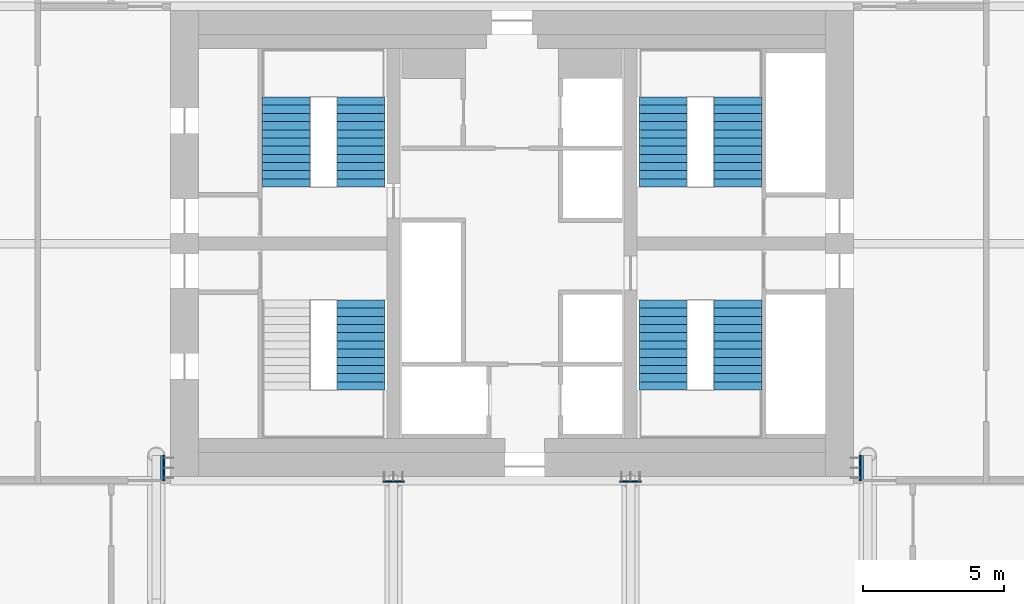
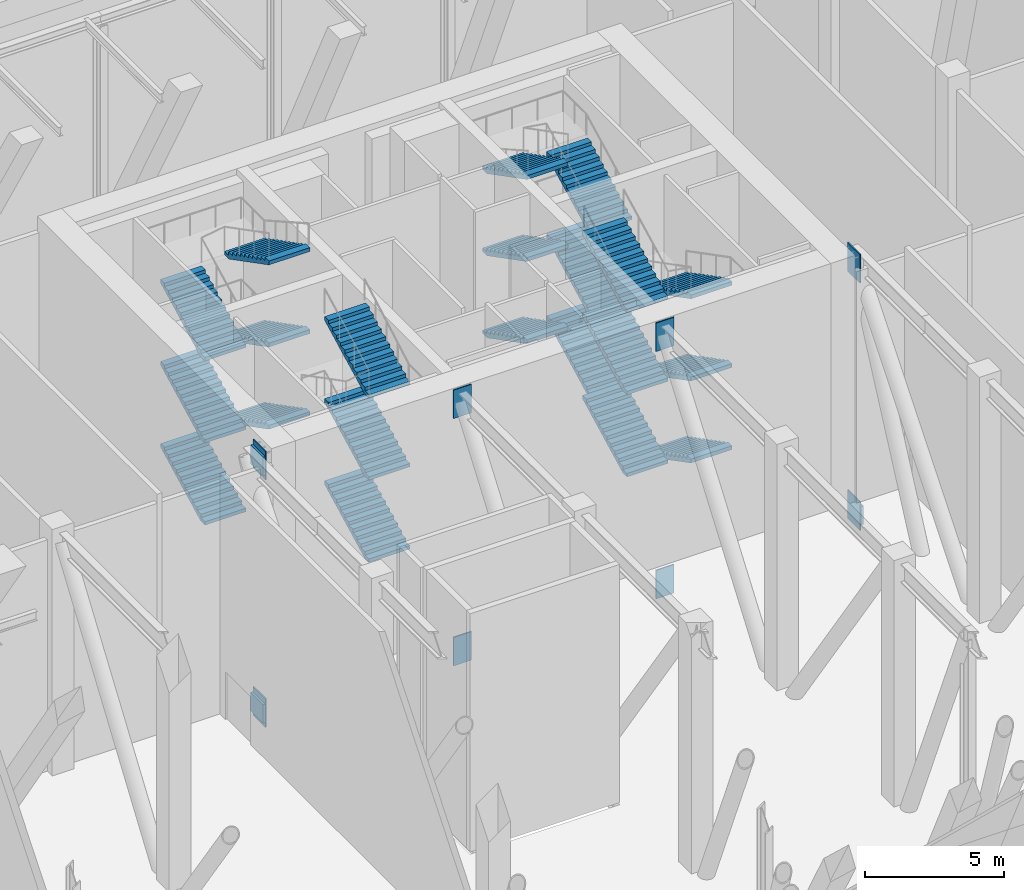
# One storey, part 13 of 20: 21 stair flights, 11 discrete accessories, 4 elements without a shape of their own.
"""IFC4 building model written with IfcOpenShell, lengths in metres."""

from ifc_helpers import new_model, si_unit, direction, frame, origin, origin_2d, place, context, subcontext, project, spatial, polyline, rectangle, outline, extrude, material, layer, layer_set, type_object, element, aggregate, save


model = new_model("IFC4")

# Units and contexts
model_context = context("Model", 3, precision=1e-05, world=origin(), true_north=direction((0.0, 1.0)))
body_context = subcontext(model_context, "Body", "Model", "MODEL_VIEW")
ifc_project = project(units=[si_unit("LENGTHUNIT", "METRE"), si_unit("AREAUNIT", "SQUARE_METRE"), si_unit("VOLUMEUNIT", "CUBIC_METRE"), si_unit("PLANEANGLEUNIT", "RADIAN"), si_unit("MASSUNIT", "GRAM", prefix="KILO")], contexts=[model_context])

# Site, building, storey
site_placement = place(None, origin())
site = spatial("IfcSite", under=ifc_project, at=site_placement, CompositionType="ELEMENT")
building_placement = place(site_placement, origin())
building = spatial("IfcBuilding", under=site, at=building_placement, Name="Marenta Gate Hotel Tower", CompositionType="ELEMENT")
storey_placement = place(building_placement, frame((0.0, 0.0, 169.699951171875)))
storey = spatial("IfcBuildingStorey", under=building, at=storey_placement, Name="L40", CompositionType="ELEMENT", Elevation=169.699951171875)

# Stair, stair flights
ifc_material_1 = material(Name="Concrete C40", Category="concrete")
stair_type = type_object("IfcStairType", Name="Core exit stair 1700 wide", PredefinedType="HALF_TURN_STAIR", material=ifc_material_1)
stair_1_placement = place(storey_placement, origin())
stair_1 = element("IfcStair", 1, at=stair_1_placement, inside=storey, type_object=stair_type, Name="Exit stair 1", PredefinedType="HALF_TURN_STAIR")
ifc_material_2 = material(Name="Concrete C40", Category="concrete")
stair_flight_type = type_object("IfcStairFlightType", Name="Core stair flight 1700 riser 150.0 going 290", PredefinedType="STRAIGHT", material=ifc_material_2)
stair_flight_1_placement = place(storey_placement, frame((-5.35009765625, 3.2099609375, 1.800048828125), z_axis=(0.0, 0.0, 1.0), x_axis=(0.0, 1.0, 0.0)))
stair_flight_1 = element("IfcStairFlight", 2, at=stair_flight_1_placement, type_object=stair_flight_type, Name="ST1 flight 2", NumberOfRisers=12, NumberOfTreads=11, PredefinedType="STRAIGHT", RiserHeight=0.15, TreadLength=0.29, context=body_context, shape_type="SweptSolid", body=[
    extrude(outline(polyline([(0.0, 0.0), (0.0, 0.14990234375), (0.2900390625, 0.14990234375), (0.2900390625, 0.300048828125), (0.580078125, 0.300048828125), (0.580078125, 0.449951171875), (0.8701171875, 0.449951171875), (0.8701171875, 0.60009765625), (1.159912109375, 0.60009765625), (1.159912109375, 0.75), (1.449951171875, 0.75), (1.449951171875, 0.89990234375), (1.739990234375, 0.89990234375), (1.739990234375, 1.050048828125), (2.030029296875, 1.050048828125), (2.030029296875, 1.199951171875), (2.320068359375, 1.199951171875), (2.320068359375, 1.35009765625), (2.610107421875, 1.35009765625), (2.610107421875, 1.5), (2.89990234375, 1.5), (2.89990234375, 1.64990234375), (3.18994140625, 1.64990234375), (3.18994140625, 1.800048828125), (3.18994140625, 1.481201171875), (0.326171875, 0.0), (0.0, 0.0)])), frame((0.0, 0.85009765625, 0.0), z_axis=(0.0, -1.0, 0.0), x_axis=(1.0, 0.0, 0.0)), (0.0, 0.0, 1.0), 1.699951171875),
])
stair_flight_2_placement = place(storey_placement, frame((-5.35009765625, 3.2099609375, 5.400146484375), z_axis=(0.0, 0.0, 1.0), x_axis=(0.0, 1.0, 0.0)))
stair_flight_2 = element("IfcStairFlight", 3, at=stair_flight_2_placement, type_object=stair_flight_type, Name="ST1 flight 4", NumberOfRisers=12, NumberOfTreads=11, PredefinedType="STRAIGHT", RiserHeight=0.15, TreadLength=0.29, context=body_context, shape_type="SweptSolid", body=[
    extrude(outline(polyline([(0.0, 0.0), (0.0, 0.14990234375), (0.2900390625, 0.14990234375), (0.2900390625, 0.300048828125), (0.580078125, 0.300048828125), (0.580078125, 0.449951171875), (0.8701171875, 0.449951171875), (0.8701171875, 0.60009765625), (1.159912109375, 0.60009765625), (1.159912109375, 0.75), (1.449951171875, 0.75), (1.449951171875, 0.89990234375), (1.739990234375, 0.89990234375), (1.739990234375, 1.050048828125), (2.030029296875, 1.050048828125), (2.030029296875, 1.199951171875), (2.320068359375, 1.199951171875), (2.320068359375, 1.35009765625), (2.610107421875, 1.35009765625), (2.610107421875, 1.5), (2.89990234375, 1.5), (2.89990234375, 1.64990234375), (3.18994140625, 1.64990234375), (3.18994140625, 1.800048828125), (3.18994140625, 1.481201171875), (0.326171875, 0.0), (0.0, 0.0)])), frame((0.0, 0.85009765625, 0.0), z_axis=(0.0, -1.0, 0.0), x_axis=(1.0, 0.0, 0.0)), (0.0, 0.0, 1.0), 1.699951171875),
])
stair_flight_3_placement = place(storey_placement, frame((-5.35009765625, 3.2099609375, 9.0), z_axis=(0.0, 0.0, 1.0), x_axis=(0.0, 1.0, 0.0)))
stair_flight_3 = element("IfcStairFlight", 4, at=stair_flight_3_placement, type_object=stair_flight_type, Name="ST1 flight 6", NumberOfRisers=12, NumberOfTreads=11, PredefinedType="STRAIGHT", RiserHeight=0.15, TreadLength=0.29, context=body_context, shape_type="SweptSolid", body=[
    extrude(outline(polyline([(0.0, 0.0), (0.0, 0.14990234375), (0.2900390625, 0.14990234375), (0.2900390625, 0.300048828125), (0.580078125, 0.300048828125), (0.580078125, 0.449951171875), (0.8701171875, 0.449951171875), (0.8701171875, 0.60009765625), (1.159912109375, 0.60009765625), (1.159912109375, 0.75), (1.449951171875, 0.75), (1.449951171875, 0.89990234375), (1.739990234375, 0.89990234375), (1.739990234375, 1.050048828125), (2.030029296875, 1.050048828125), (2.030029296875, 1.199951171875), (2.320068359375, 1.199951171875), (2.320068359375, 1.35009765625), (2.610107421875, 1.35009765625), (2.610107421875, 1.5), (2.89990234375, 1.5), (2.89990234375, 1.64990234375), (3.18994140625, 1.64990234375), (3.18994140625, 1.800048828125), (3.18994140625, 1.481201171875), (0.326171875, 0.0), (0.0, 0.0)])), frame((0.0, 0.85009765625, 0.0), z_axis=(0.0, -1.0, 0.0), x_axis=(1.0, 0.0, 0.0)), (0.0, 0.0, 1.0), 1.699951171875),
])
aggregate(stair_1, [stair_flight_1, stair_flight_2, stair_flight_3])

stair_2_placement = place(storey_placement, origin())
stair_2 = element("IfcStair", 5, at=stair_2_placement, inside=storey, type_object=stair_type, Name="Exit stair 2", PredefinedType="HALF_TURN_STAIR")
stair_flight_4_placement = place(storey_placement, frame((-8.0, 10.39990234375, 0.0), z_axis=(0.0, 0.0, 1.0), x_axis=(0.0, 1.0, 0.0)))
stair_flight_4 = element("IfcStairFlight", 6, at=stair_flight_4_placement, type_object=stair_flight_type, Name="ST2 flight 1", NumberOfRisers=12, NumberOfTreads=11, PredefinedType="STRAIGHT", RiserHeight=0.15, TreadLength=0.29, context=body_context, shape_type="SweptSolid", body=[
    extrude(outline(polyline([(0.0, 0.0), (0.0, 0.14990234375), (0.2900390625, 0.14990234375), (0.2900390625, 0.300048828125), (0.580078125, 0.300048828125), (0.580078125, 0.449951171875), (0.8701171875, 0.449951171875), (0.8701171875, 0.60009765625), (1.159912109375, 0.60009765625), (1.159912109375, 0.75), (1.449951171875, 0.75), (1.449951171875, 0.89990234375), (1.739990234375, 0.89990234375), (1.739990234375, 1.050048828125), (2.030029296875, 1.050048828125), (2.030029296875, 1.199951171875), (2.320068359375, 1.199951171875), (2.320068359375, 1.35009765625), (2.610107421875, 1.35009765625), (2.610107421875, 1.5), (2.89990234375, 1.5), (2.89990234375, 1.64990234375), (3.18994140625, 1.64990234375), (3.18994140625, 1.800048828125), (3.18994140625, 1.481201171875), (0.326171875, 0.0), (0.0, 0.0)])), frame((0.0, 0.85009765625, 0.0), z_axis=(0.0, -1.0, 0.0), x_axis=(1.0, 0.0, 0.0)), (0.0, 0.0, 1.0), 1.699951171875),
])
stair_flight_5_placement = place(storey_placement, frame((-5.35009765625, 13.590087890625, 1.800048828125), z_axis=(0.0, 0.0, 1.0), x_axis=(0.0, -1.0, 0.0)))
stair_flight_5 = element("IfcStairFlight", 7, at=stair_flight_5_placement, type_object=stair_flight_type, Name="ST2 flight 2", NumberOfRisers=12, NumberOfTreads=11, PredefinedType="STRAIGHT", RiserHeight=0.15, TreadLength=0.29, context=body_context, shape_type="SweptSolid", body=[
    extrude(outline(polyline([(0.0, 0.0), (0.0, 0.14990234375), (0.2900390625, 0.14990234375), (0.2900390625, 0.300048828125), (0.580078125, 0.300048828125), (0.580078125, 0.449951171875), (0.8701171875, 0.449951171875), (0.8701171875, 0.60009765625), (1.159912109375, 0.60009765625), (1.159912109375, 0.75), (1.449951171875, 0.75), (1.449951171875, 0.89990234375), (1.739990234375, 0.89990234375), (1.739990234375, 1.050048828125), (2.030029296875, 1.050048828125), (2.030029296875, 1.199951171875), (2.320068359375, 1.199951171875), (2.320068359375, 1.35009765625), (2.610107421875, 1.35009765625), (2.610107421875, 1.5), (2.89990234375, 1.5), (2.89990234375, 1.64990234375), (3.18994140625, 1.64990234375), (3.18994140625, 1.800048828125), (3.18994140625, 1.481201171875), (0.326171875, 0.0), (0.0, 0.0)])), frame((0.0, 0.85009765625, 0.0), z_axis=(0.0, -1.0, 0.0), x_axis=(1.0, 0.0, 0.0)), (0.0, 0.0, 1.0), 1.699951171875),
])
stair_flight_6_placement = place(storey_placement, frame((-8.0, 10.39990234375, 3.60009765625), z_axis=(0.0, 0.0, 1.0), x_axis=(0.0, 1.0, 0.0)))
stair_flight_6 = element("IfcStairFlight", 8, at=stair_flight_6_placement, type_object=stair_flight_type, Name="ST2 flight 3", NumberOfRisers=12, NumberOfTreads=11, PredefinedType="STRAIGHT", RiserHeight=0.15, TreadLength=0.29, context=body_context, shape_type="SweptSolid", body=[
    extrude(outline(polyline([(0.0, 0.0), (0.0, 0.14990234375), (0.2900390625, 0.14990234375), (0.2900390625, 0.300048828125), (0.580078125, 0.300048828125), (0.580078125, 0.449951171875), (0.8701171875, 0.449951171875), (0.8701171875, 0.60009765625), (1.159912109375, 0.60009765625), (1.159912109375, 0.75), (1.449951171875, 0.75), (1.449951171875, 0.89990234375), (1.739990234375, 0.89990234375), (1.739990234375, 1.050048828125), (2.030029296875, 1.050048828125), (2.030029296875, 1.199951171875), (2.320068359375, 1.199951171875), (2.320068359375, 1.35009765625), (2.610107421875, 1.35009765625), (2.610107421875, 1.5), (2.89990234375, 1.5), (2.89990234375, 1.64990234375), (3.18994140625, 1.64990234375), (3.18994140625, 1.800048828125), (3.18994140625, 1.481201171875), (0.326171875, 0.0), (0.0, 0.0)])), frame((0.0, 0.85009765625, 0.0), z_axis=(0.0, -1.0, 0.0), x_axis=(1.0, 0.0, 0.0)), (0.0, 0.0, 1.0), 1.699951171875),
])
stair_flight_7_placement = place(storey_placement, frame((-5.35009765625, 13.590087890625, 5.400146484375), z_axis=(0.0, 0.0, 1.0), x_axis=(0.0, -1.0, 0.0)))
stair_flight_7 = element("IfcStairFlight", 9, at=stair_flight_7_placement, type_object=stair_flight_type, Name="ST2 flight 4", NumberOfRisers=12, NumberOfTreads=11, PredefinedType="STRAIGHT", RiserHeight=0.15, TreadLength=0.29, context=body_context, shape_type="SweptSolid", body=[
    extrude(outline(polyline([(0.0, 0.0), (0.0, 0.14990234375), (0.2900390625, 0.14990234375), (0.2900390625, 0.300048828125), (0.580078125, 0.300048828125), (0.580078125, 0.449951171875), (0.8701171875, 0.449951171875), (0.8701171875, 0.60009765625), (1.159912109375, 0.60009765625), (1.159912109375, 0.75), (1.449951171875, 0.75), (1.449951171875, 0.89990234375), (1.739990234375, 0.89990234375), (1.739990234375, 1.050048828125), (2.030029296875, 1.050048828125), (2.030029296875, 1.199951171875), (2.320068359375, 1.199951171875), (2.320068359375, 1.35009765625), (2.610107421875, 1.35009765625), (2.610107421875, 1.5), (2.89990234375, 1.5), (2.89990234375, 1.64990234375), (3.18994140625, 1.64990234375), (3.18994140625, 1.800048828125), (3.18994140625, 1.481201171875), (0.326171875, 0.0), (0.0, 0.0)])), frame((0.0, 0.85009765625, 0.0), z_axis=(0.0, -1.0, 0.0), x_axis=(1.0, 0.0, 0.0)), (0.0, 0.0, 1.0), 1.699951171875),
])
stair_flight_8_placement = place(storey_placement, frame((-8.0, 10.39990234375, 7.199951171875), z_axis=(0.0, 0.0, 1.0), x_axis=(0.0, 1.0, 0.0)))
stair_flight_8 = element("IfcStairFlight", 10, at=stair_flight_8_placement, type_object=stair_flight_type, Name="ST2 flight 5", NumberOfRisers=12, NumberOfTreads=11, PredefinedType="STRAIGHT", RiserHeight=0.15, TreadLength=0.29, context=body_context, shape_type="SweptSolid", body=[
    extrude(outline(polyline([(0.0, 0.0), (0.0, 0.14990234375), (0.2900390625, 0.14990234375), (0.2900390625, 0.300048828125), (0.580078125, 0.300048828125), (0.580078125, 0.449951171875), (0.8701171875, 0.449951171875), (0.8701171875, 0.60009765625), (1.159912109375, 0.60009765625), (1.159912109375, 0.75), (1.449951171875, 0.75), (1.449951171875, 0.89990234375), (1.739990234375, 0.89990234375), (1.739990234375, 1.050048828125), (2.030029296875, 1.050048828125), (2.030029296875, 1.199951171875), (2.320068359375, 1.199951171875), (2.320068359375, 1.35009765625), (2.610107421875, 1.35009765625), (2.610107421875, 1.5), (2.89990234375, 1.5), (2.89990234375, 1.64990234375), (3.18994140625, 1.64990234375), (3.18994140625, 1.800048828125), (3.18994140625, 1.481201171875), (0.326171875, 0.0), (0.0, 0.0)])), frame((0.0, 0.85009765625, 0.0), z_axis=(0.0, -1.0, 0.0), x_axis=(1.0, 0.0, 0.0)), (0.0, 0.0, 1.0), 1.699951171875),
])
stair_flight_9_placement = place(storey_placement, frame((-5.35009765625, 13.590087890625, 9.0), z_axis=(0.0, 0.0, 1.0), x_axis=(0.0, -1.0, 0.0)))
stair_flight_9 = element("IfcStairFlight", 11, at=stair_flight_9_placement, type_object=stair_flight_type, Name="ST2 flight 6", NumberOfRisers=12, NumberOfTreads=11, PredefinedType="STRAIGHT", RiserHeight=0.15, TreadLength=0.29, context=body_context, shape_type="SweptSolid", body=[
    extrude(outline(polyline([(0.0, 0.0), (0.0, 0.14990234375), (0.2900390625, 0.14990234375), (0.2900390625, 0.300048828125), (0.580078125, 0.300048828125), (0.580078125, 0.449951171875), (0.8701171875, 0.449951171875), (0.8701171875, 0.60009765625), (1.159912109375, 0.60009765625), (1.159912109375, 0.75), (1.449951171875, 0.75), (1.449951171875, 0.89990234375), (1.739990234375, 0.89990234375), (1.739990234375, 1.050048828125), (2.030029296875, 1.050048828125), (2.030029296875, 1.199951171875), (2.320068359375, 1.199951171875), (2.320068359375, 1.35009765625), (2.610107421875, 1.35009765625), (2.610107421875, 1.5), (2.89990234375, 1.5), (2.89990234375, 1.64990234375), (3.18994140625, 1.64990234375), (3.18994140625, 1.800048828125), (3.18994140625, 1.481201171875), (0.326171875, 0.0), (0.0, 0.0)])), frame((0.0, 0.85009765625, 0.0), z_axis=(0.0, -1.0, 0.0), x_axis=(1.0, 0.0, 0.0)), (0.0, 0.0, 1.0), 1.699951171875),
])
aggregate(stair_2, [stair_flight_4, stair_flight_5, stair_flight_6, stair_flight_7, stair_flight_8, stair_flight_9])

stair_3_placement = place(storey_placement, origin())
stair_3 = element("IfcStair", 12, at=stair_3_placement, inside=storey, type_object=stair_type, Name="Exit stair 3", PredefinedType="HALF_TURN_STAIR")
stair_flight_10_placement = place(storey_placement, frame((8.0, 6.39990234375, 0.0), z_axis=(0.0, 0.0, 1.0), x_axis=(0.0, -1.0, 0.0)))
stair_flight_10 = element("IfcStairFlight", 13, at=stair_flight_10_placement, type_object=stair_flight_type, Name="ST3 flight 1", NumberOfRisers=12, NumberOfTreads=11, PredefinedType="STRAIGHT", RiserHeight=0.15, TreadLength=0.29, context=body_context, shape_type="SweptSolid", body=[
    extrude(outline(polyline([(0.0, 0.0), (0.0, 0.14990234375), (0.2900390625, 0.14990234375), (0.2900390625, 0.300048828125), (0.580078125, 0.300048828125), (0.580078125, 0.449951171875), (0.8701171875, 0.449951171875), (0.8701171875, 0.60009765625), (1.159912109375, 0.60009765625), (1.159912109375, 0.75), (1.449951171875, 0.75), (1.449951171875, 0.89990234375), (1.739990234375, 0.89990234375), (1.739990234375, 1.050048828125), (2.030029296875, 1.050048828125), (2.030029296875, 1.199951171875), (2.320068359375, 1.199951171875), (2.320068359375, 1.35009765625), (2.610107421875, 1.35009765625), (2.610107421875, 1.5), (2.89990234375, 1.5), (2.89990234375, 1.64990234375), (3.18994140625, 1.64990234375), (3.18994140625, 1.800048828125), (3.18994140625, 1.481201171875), (0.326171875, 0.0), (0.0, 0.0)])), frame((0.0, 0.85009765625, 0.0), z_axis=(0.0, -1.0, 0.0), x_axis=(1.0, 0.0, 0.0)), (0.0, 0.0, 1.0), 1.699951171875),
])
stair_flight_11_placement = place(storey_placement, frame((5.35009765625, 3.2099609375, 1.800048828125), z_axis=(0.0, 0.0, 1.0), x_axis=(0.0, 1.0, 0.0)))
stair_flight_11 = element("IfcStairFlight", 14, at=stair_flight_11_placement, type_object=stair_flight_type, Name="ST3 flight 2", NumberOfRisers=12, NumberOfTreads=11, PredefinedType="STRAIGHT", RiserHeight=0.15, TreadLength=0.29, context=body_context, shape_type="SweptSolid", body=[
    extrude(outline(polyline([(0.0, 0.0), (0.0, 0.14990234375), (0.2900390625, 0.14990234375), (0.2900390625, 0.300048828125), (0.580078125, 0.300048828125), (0.580078125, 0.449951171875), (0.8701171875, 0.449951171875), (0.8701171875, 0.60009765625), (1.159912109375, 0.60009765625), (1.159912109375, 0.75), (1.449951171875, 0.75), (1.449951171875, 0.89990234375), (1.739990234375, 0.89990234375), (1.739990234375, 1.050048828125), (2.030029296875, 1.050048828125), (2.030029296875, 1.199951171875), (2.320068359375, 1.199951171875), (2.320068359375, 1.35009765625), (2.610107421875, 1.35009765625), (2.610107421875, 1.5), (2.89990234375, 1.5), (2.89990234375, 1.64990234375), (3.18994140625, 1.64990234375), (3.18994140625, 1.800048828125), (3.18994140625, 1.481201171875), (0.326171875, 0.0), (0.0, 0.0)])), frame((0.0, 0.85009765625, 0.0), z_axis=(0.0, -1.0, 0.0), x_axis=(1.0, 0.0, 0.0)), (0.0, 0.0, 1.0), 1.699951171875),
])
stair_flight_12_placement = place(storey_placement, frame((8.0, 6.39990234375, 3.60009765625), z_axis=(0.0, 0.0, 1.0), x_axis=(0.0, -1.0, 0.0)))
stair_flight_12 = element("IfcStairFlight", 15, at=stair_flight_12_placement, type_object=stair_flight_type, Name="ST3 flight 3", NumberOfRisers=12, NumberOfTreads=11, PredefinedType="STRAIGHT", RiserHeight=0.15, TreadLength=0.29, context=body_context, shape_type="SweptSolid", body=[
    extrude(outline(polyline([(0.0, 0.0), (0.0, 0.14990234375), (0.2900390625, 0.14990234375), (0.2900390625, 0.300048828125), (0.580078125, 0.300048828125), (0.580078125, 0.449951171875), (0.8701171875, 0.449951171875), (0.8701171875, 0.60009765625), (1.159912109375, 0.60009765625), (1.159912109375, 0.75), (1.449951171875, 0.75), (1.449951171875, 0.89990234375), (1.739990234375, 0.89990234375), (1.739990234375, 1.050048828125), (2.030029296875, 1.050048828125), (2.030029296875, 1.199951171875), (2.320068359375, 1.199951171875), (2.320068359375, 1.35009765625), (2.610107421875, 1.35009765625), (2.610107421875, 1.5), (2.89990234375, 1.5), (2.89990234375, 1.64990234375), (3.18994140625, 1.64990234375), (3.18994140625, 1.800048828125), (3.18994140625, 1.481201171875), (0.326171875, 0.0), (0.0, 0.0)])), frame((0.0, 0.85009765625, 0.0), z_axis=(0.0, -1.0, 0.0), x_axis=(1.0, 0.0, 0.0)), (0.0, 0.0, 1.0), 1.699951171875),
])
stair_flight_13_placement = place(storey_placement, frame((5.35009765625, 3.2099609375, 5.400146484375), z_axis=(0.0, 0.0, 1.0), x_axis=(0.0, 1.0, 0.0)))
stair_flight_13 = element("IfcStairFlight", 16, at=stair_flight_13_placement, type_object=stair_flight_type, Name="ST3 flight 4", NumberOfRisers=12, NumberOfTreads=11, PredefinedType="STRAIGHT", RiserHeight=0.15, TreadLength=0.29, context=body_context, shape_type="SweptSolid", body=[
    extrude(outline(polyline([(0.0, 0.0), (0.0, 0.14990234375), (0.2900390625, 0.14990234375), (0.2900390625, 0.300048828125), (0.580078125, 0.300048828125), (0.580078125, 0.449951171875), (0.8701171875, 0.449951171875), (0.8701171875, 0.60009765625), (1.159912109375, 0.60009765625), (1.159912109375, 0.75), (1.449951171875, 0.75), (1.449951171875, 0.89990234375), (1.739990234375, 0.89990234375), (1.739990234375, 1.050048828125), (2.030029296875, 1.050048828125), (2.030029296875, 1.199951171875), (2.320068359375, 1.199951171875), (2.320068359375, 1.35009765625), (2.610107421875, 1.35009765625), (2.610107421875, 1.5), (2.89990234375, 1.5), (2.89990234375, 1.64990234375), (3.18994140625, 1.64990234375), (3.18994140625, 1.800048828125), (3.18994140625, 1.481201171875), (0.326171875, 0.0), (0.0, 0.0)])), frame((0.0, 0.85009765625, 0.0), z_axis=(0.0, -1.0, 0.0), x_axis=(1.0, 0.0, 0.0)), (0.0, 0.0, 1.0), 1.699951171875),
])
stair_flight_14_placement = place(storey_placement, frame((8.0, 6.39990234375, 7.199951171875), z_axis=(0.0, 0.0, 1.0), x_axis=(0.0, -1.0, 0.0)))
stair_flight_14 = element("IfcStairFlight", 17, at=stair_flight_14_placement, type_object=stair_flight_type, Name="ST3 flight 5", NumberOfRisers=12, NumberOfTreads=11, PredefinedType="STRAIGHT", RiserHeight=0.15, TreadLength=0.29, context=body_context, shape_type="SweptSolid", body=[
    extrude(outline(polyline([(0.0, 0.0), (0.0, 0.14990234375), (0.2900390625, 0.14990234375), (0.2900390625, 0.300048828125), (0.580078125, 0.300048828125), (0.580078125, 0.449951171875), (0.8701171875, 0.449951171875), (0.8701171875, 0.60009765625), (1.159912109375, 0.60009765625), (1.159912109375, 0.75), (1.449951171875, 0.75), (1.449951171875, 0.89990234375), (1.739990234375, 0.89990234375), (1.739990234375, 1.050048828125), (2.030029296875, 1.050048828125), (2.030029296875, 1.199951171875), (2.320068359375, 1.199951171875), (2.320068359375, 1.35009765625), (2.610107421875, 1.35009765625), (2.610107421875, 1.5), (2.89990234375, 1.5), (2.89990234375, 1.64990234375), (3.18994140625, 1.64990234375), (3.18994140625, 1.800048828125), (3.18994140625, 1.481201171875), (0.326171875, 0.0), (0.0, 0.0)])), frame((0.0, 0.85009765625, 0.0), z_axis=(0.0, -1.0, 0.0), x_axis=(1.0, 0.0, 0.0)), (0.0, 0.0, 1.0), 1.699951171875),
])
stair_flight_15_placement = place(storey_placement, frame((5.35009765625, 3.2099609375, 9.0), z_axis=(0.0, 0.0, 1.0), x_axis=(0.0, 1.0, 0.0)))
stair_flight_15 = element("IfcStairFlight", 18, at=stair_flight_15_placement, type_object=stair_flight_type, Name="ST3 flight 6", NumberOfRisers=12, NumberOfTreads=11, PredefinedType="STRAIGHT", RiserHeight=0.15, TreadLength=0.29, context=body_context, shape_type="SweptSolid", body=[
    extrude(outline(polyline([(0.0, 0.0), (0.0, 0.14990234375), (0.2900390625, 0.14990234375), (0.2900390625, 0.300048828125), (0.580078125, 0.300048828125), (0.580078125, 0.449951171875), (0.8701171875, 0.449951171875), (0.8701171875, 0.60009765625), (1.159912109375, 0.60009765625), (1.159912109375, 0.75), (1.449951171875, 0.75), (1.449951171875, 0.89990234375), (1.739990234375, 0.89990234375), (1.739990234375, 1.050048828125), (2.030029296875, 1.050048828125), (2.030029296875, 1.199951171875), (2.320068359375, 1.199951171875), (2.320068359375, 1.35009765625), (2.610107421875, 1.35009765625), (2.610107421875, 1.5), (2.89990234375, 1.5), (2.89990234375, 1.64990234375), (3.18994140625, 1.64990234375), (3.18994140625, 1.800048828125), (3.18994140625, 1.481201171875), (0.326171875, 0.0), (0.0, 0.0)])), frame((0.0, 0.85009765625, 0.0), z_axis=(0.0, -1.0, 0.0), x_axis=(1.0, 0.0, 0.0)), (0.0, 0.0, 1.0), 1.699951171875),
])
aggregate(stair_3, [stair_flight_10, stair_flight_11, stair_flight_12, stair_flight_13, stair_flight_14, stair_flight_15])

stair_4_placement = place(storey_placement, origin())
stair_4 = element("IfcStair", 19, at=stair_4_placement, inside=storey, type_object=stair_type, Name="Exit stair 4", PredefinedType="HALF_TURN_STAIR")
stair_flight_16_placement = place(storey_placement, frame((8.0, 10.39990234375, 0.0), z_axis=(0.0, 0.0, 1.0), x_axis=(0.0, 1.0, 0.0)))
stair_flight_16 = element("IfcStairFlight", 20, at=stair_flight_16_placement, type_object=stair_flight_type, Name="ST4 flight 1", NumberOfRisers=12, NumberOfTreads=11, PredefinedType="STRAIGHT", RiserHeight=0.15, TreadLength=0.29, context=body_context, shape_type="SweptSolid", body=[
    extrude(outline(polyline([(0.0, 0.0), (0.0, 0.14990234375), (0.2900390625, 0.14990234375), (0.2900390625, 0.300048828125), (0.580078125, 0.300048828125), (0.580078125, 0.449951171875), (0.8701171875, 0.449951171875), (0.8701171875, 0.60009765625), (1.159912109375, 0.60009765625), (1.159912109375, 0.75), (1.449951171875, 0.75), (1.449951171875, 0.89990234375), (1.739990234375, 0.89990234375), (1.739990234375, 1.050048828125), (2.030029296875, 1.050048828125), (2.030029296875, 1.199951171875), (2.320068359375, 1.199951171875), (2.320068359375, 1.35009765625), (2.610107421875, 1.35009765625), (2.610107421875, 1.5), (2.89990234375, 1.5), (2.89990234375, 1.64990234375), (3.18994140625, 1.64990234375), (3.18994140625, 1.800048828125), (3.18994140625, 1.481201171875), (0.326171875, 0.0), (0.0, 0.0)])), frame((0.0, 0.85009765625, 0.0), z_axis=(0.0, -1.0, 0.0), x_axis=(1.0, 0.0, 0.0)), (0.0, 0.0, 1.0), 1.699951171875),
])
stair_flight_17_placement = place(storey_placement, frame((5.35009765625, 13.590087890625, 1.800048828125), z_axis=(0.0, 0.0, 1.0), x_axis=(0.0, -1.0, 0.0)))
stair_flight_17 = element("IfcStairFlight", 21, at=stair_flight_17_placement, type_object=stair_flight_type, Name="ST4 flight 2", NumberOfRisers=12, NumberOfTreads=11, PredefinedType="STRAIGHT", RiserHeight=0.15, TreadLength=0.29, context=body_context, shape_type="SweptSolid", body=[
    extrude(outline(polyline([(0.0, 0.0), (0.0, 0.14990234375), (0.2900390625, 0.14990234375), (0.2900390625, 0.300048828125), (0.580078125, 0.300048828125), (0.580078125, 0.449951171875), (0.8701171875, 0.449951171875), (0.8701171875, 0.60009765625), (1.159912109375, 0.60009765625), (1.159912109375, 0.75), (1.449951171875, 0.75), (1.449951171875, 0.89990234375), (1.739990234375, 0.89990234375), (1.739990234375, 1.050048828125), (2.030029296875, 1.050048828125), (2.030029296875, 1.199951171875), (2.320068359375, 1.199951171875), (2.320068359375, 1.35009765625), (2.610107421875, 1.35009765625), (2.610107421875, 1.5), (2.89990234375, 1.5), (2.89990234375, 1.64990234375), (3.18994140625, 1.64990234375), (3.18994140625, 1.800048828125), (3.18994140625, 1.481201171875), (0.326171875, 0.0), (0.0, 0.0)])), frame((0.0, 0.85009765625, 0.0), z_axis=(0.0, -1.0, 0.0), x_axis=(1.0, 0.0, 0.0)), (0.0, 0.0, 1.0), 1.699951171875),
])
stair_flight_18_placement = place(storey_placement, frame((8.0, 10.39990234375, 3.60009765625), z_axis=(0.0, 0.0, 1.0), x_axis=(0.0, 1.0, 0.0)))
stair_flight_18 = element("IfcStairFlight", 22, at=stair_flight_18_placement, type_object=stair_flight_type, Name="ST4 flight 3", NumberOfRisers=12, NumberOfTreads=11, PredefinedType="STRAIGHT", RiserHeight=0.15, TreadLength=0.29, context=body_context, shape_type="SweptSolid", body=[
    extrude(outline(polyline([(0.0, 0.0), (0.0, 0.14990234375), (0.2900390625, 0.14990234375), (0.2900390625, 0.300048828125), (0.580078125, 0.300048828125), (0.580078125, 0.449951171875), (0.8701171875, 0.449951171875), (0.8701171875, 0.60009765625), (1.159912109375, 0.60009765625), (1.159912109375, 0.75), (1.449951171875, 0.75), (1.449951171875, 0.89990234375), (1.739990234375, 0.89990234375), (1.739990234375, 1.050048828125), (2.030029296875, 1.050048828125), (2.030029296875, 1.199951171875), (2.320068359375, 1.199951171875), (2.320068359375, 1.35009765625), (2.610107421875, 1.35009765625), (2.610107421875, 1.5), (2.89990234375, 1.5), (2.89990234375, 1.64990234375), (3.18994140625, 1.64990234375), (3.18994140625, 1.800048828125), (3.18994140625, 1.481201171875), (0.326171875, 0.0), (0.0, 0.0)])), frame((0.0, 0.85009765625, 0.0), z_axis=(0.0, -1.0, 0.0), x_axis=(1.0, 0.0, 0.0)), (0.0, 0.0, 1.0), 1.699951171875),
])
stair_flight_19_placement = place(storey_placement, frame((5.35009765625, 13.590087890625, 5.400146484375), z_axis=(0.0, 0.0, 1.0), x_axis=(0.0, -1.0, 0.0)))
stair_flight_19 = element("IfcStairFlight", 23, at=stair_flight_19_placement, type_object=stair_flight_type, Name="ST4 flight 4", NumberOfRisers=12, NumberOfTreads=11, PredefinedType="STRAIGHT", RiserHeight=0.15, TreadLength=0.29, context=body_context, shape_type="SweptSolid", body=[
    extrude(outline(polyline([(0.0, 0.0), (0.0, 0.14990234375), (0.2900390625, 0.14990234375), (0.2900390625, 0.300048828125), (0.580078125, 0.300048828125), (0.580078125, 0.449951171875), (0.8701171875, 0.449951171875), (0.8701171875, 0.60009765625), (1.159912109375, 0.60009765625), (1.159912109375, 0.75), (1.449951171875, 0.75), (1.449951171875, 0.89990234375), (1.739990234375, 0.89990234375), (1.739990234375, 1.050048828125), (2.030029296875, 1.050048828125), (2.030029296875, 1.199951171875), (2.320068359375, 1.199951171875), (2.320068359375, 1.35009765625), (2.610107421875, 1.35009765625), (2.610107421875, 1.5), (2.89990234375, 1.5), (2.89990234375, 1.64990234375), (3.18994140625, 1.64990234375), (3.18994140625, 1.800048828125), (3.18994140625, 1.481201171875), (0.326171875, 0.0), (0.0, 0.0)])), frame((0.0, 0.85009765625, 0.0), z_axis=(0.0, -1.0, 0.0), x_axis=(1.0, 0.0, 0.0)), (0.0, 0.0, 1.0), 1.699951171875),
])
stair_flight_20_placement = place(storey_placement, frame((8.0, 10.39990234375, 7.199951171875), z_axis=(0.0, 0.0, 1.0), x_axis=(0.0, 1.0, 0.0)))
stair_flight_20 = element("IfcStairFlight", 24, at=stair_flight_20_placement, type_object=stair_flight_type, Name="ST4 flight 5", NumberOfRisers=12, NumberOfTreads=11, PredefinedType="STRAIGHT", RiserHeight=0.15, TreadLength=0.29, context=body_context, shape_type="SweptSolid", body=[
    extrude(outline(polyline([(0.0, 0.0), (0.0, 0.14990234375), (0.2900390625, 0.14990234375), (0.2900390625, 0.300048828125), (0.580078125, 0.300048828125), (0.580078125, 0.449951171875), (0.8701171875, 0.449951171875), (0.8701171875, 0.60009765625), (1.159912109375, 0.60009765625), (1.159912109375, 0.75), (1.449951171875, 0.75), (1.449951171875, 0.89990234375), (1.739990234375, 0.89990234375), (1.739990234375, 1.050048828125), (2.030029296875, 1.050048828125), (2.030029296875, 1.199951171875), (2.320068359375, 1.199951171875), (2.320068359375, 1.35009765625), (2.610107421875, 1.35009765625), (2.610107421875, 1.5), (2.89990234375, 1.5), (2.89990234375, 1.64990234375), (3.18994140625, 1.64990234375), (3.18994140625, 1.800048828125), (3.18994140625, 1.481201171875), (0.326171875, 0.0), (0.0, 0.0)])), frame((0.0, 0.85009765625, 0.0), z_axis=(0.0, -1.0, 0.0), x_axis=(1.0, 0.0, 0.0)), (0.0, 0.0, 1.0), 1.699951171875),
])
stair_flight_21_placement = place(storey_placement, frame((5.35009765625, 13.590087890625, 9.0), z_axis=(0.0, 0.0, 1.0), x_axis=(0.0, -1.0, 0.0)))
stair_flight_21 = element("IfcStairFlight", 25, at=stair_flight_21_placement, type_object=stair_flight_type, Name="ST4 flight 6", NumberOfRisers=12, NumberOfTreads=11, PredefinedType="STRAIGHT", RiserHeight=0.15, TreadLength=0.29, context=body_context, shape_type="SweptSolid", body=[
    extrude(outline(polyline([(0.0, 0.0), (0.0, 0.14990234375), (0.2900390625, 0.14990234375), (0.2900390625, 0.300048828125), (0.580078125, 0.300048828125), (0.580078125, 0.449951171875), (0.8701171875, 0.449951171875), (0.8701171875, 0.60009765625), (1.159912109375, 0.60009765625), (1.159912109375, 0.75), (1.449951171875, 0.75), (1.449951171875, 0.89990234375), (1.739990234375, 0.89990234375), (1.739990234375, 1.050048828125), (2.030029296875, 1.050048828125), (2.030029296875, 1.199951171875), (2.320068359375, 1.199951171875), (2.320068359375, 1.35009765625), (2.610107421875, 1.35009765625), (2.610107421875, 1.5), (2.89990234375, 1.5), (2.89990234375, 1.64990234375), (3.18994140625, 1.64990234375), (3.18994140625, 1.800048828125), (3.18994140625, 1.481201171875), (0.326171875, 0.0), (0.0, 0.0)])), frame((0.0, 0.85009765625, 0.0), z_axis=(0.0, -1.0, 0.0), x_axis=(1.0, 0.0, 0.0)), (0.0, 0.0, 1.0), 1.699951171875),
])
aggregate(stair_4, [stair_flight_16, stair_flight_17, stair_flight_18, stair_flight_19, stair_flight_20, stair_flight_21])

# Discrete accessories
ifc_material_3 = material(Name="Steel S355", Category="steel")
ifc_layer_1 = layer(ifc_material_3, 0.050048828125)
ifc_layer_set_1 = layer_set([ifc_layer_1], Name="Steel S355")
discrete_accessory_type_1 = type_object("IfcDiscreteAccessoryType", Name="Embed plate 750 x 1250 x 50", PredefinedType="ANCHORPLATE", material=ifc_layer_set_1)
for number, where, z_axis, x_axis, name in (
    (26, (-4.199951171875, -0.02490234375, -1.33203125), (0.0, 0.0, 1.0), (1.0, 0.0, 0.0), "EP1 Embed plate CN-L40-6B"),
    (27, (-4.199951171875, -0.02490234375, 9.508056640625), (0.0, 0.0, 1.0), (1.0, 0.0, 0.0), "EP1 Embed plate CN-L40-6T"),
    (28, (4.199951171875, -0.02490234375, -1.33203125), (0.0, 0.0, 1.0), (1.0, 0.0, 0.0), "EP1 Embed plate CN-L40-7B"),
    (29, (4.199951171875, -0.02490234375, 9.508056640625), (0.0, 0.0, 1.0), (1.0, 0.0, 0.0), "EP1 Embed plate CN-L40-7T"),
):
    element("IfcDiscreteAccessory", number, at=place(storey_placement, frame(where, z_axis=z_axis, x_axis=x_axis)), inside=storey, type_object=discrete_accessory_type_1, Name=name, PredefinedType="ANCHORPLATE", context=body_context, shape_type="SweptSolid", body=[
        extrude(rectangle(XDim=0.75, YDim=0.050048828125, at=origin_2d()), origin(), (0.0, 0.0, 1.0), 1.25),
    ])
ifc_material_4 = material(Name="Steel S355", Category="steel")
ifc_layer_2 = layer(ifc_material_4, 0.050048828125)
ifc_layer_set_2 = layer_set([ifc_layer_2], Name="Steel S355")
discrete_accessory_type_2 = type_object("IfcDiscreteAccessoryType", Name="Embed plate 900 x 1250 x 50", PredefinedType="ANCHORPLATE", material=ifc_layer_set_2)
for number, where, z_axis, x_axis, name in (
    (30, (-12.324951171875, 0.449951171875, -1.33203125), (0.0, 0.0, 1.0), (1.0, 0.0, 0.0), "EP1 Embed plate CN-L40-5B"),
    (31, (-12.324951171875, 0.449951171875, 9.508056640625), (0.0, 0.0, 1.0), (1.0, 0.0, 0.0), "EP1 Embed plate CN-L40-5T"),
    (32, (12.324951171875, 0.449951171875, -1.33203125), (0.0, 0.0, 1.0), (1.0, 0.0, 0.0), "EP1 Embed plate CN-L40-8B"),
    (33, (12.324951171875, 0.449951171875, 9.508056640625), (0.0, 0.0, 1.0), (1.0, 0.0, 0.0), "EP1 Embed plate CN-L40-8T"),
):
    element("IfcDiscreteAccessory", number, at=place(storey_placement, frame(where, z_axis=z_axis, x_axis=x_axis)), inside=storey, type_object=discrete_accessory_type_2, Name=name, PredefinedType="ANCHORPLATE", context=body_context, shape_type="SweptSolid", body=[
        extrude(rectangle(XDim=0.050048828125, YDim=0.89990234375, at=origin_2d()), origin(), (0.0, 0.0, 1.0), 1.25),
    ])
ifc_material_5 = material(Name="Steel S355", Category="steel")
ifc_layer_3 = layer(ifc_material_5, 0.098388671875)
ifc_layer_set_3 = layer_set([ifc_layer_3], Name="Steel S355")
discrete_accessory_type_3 = type_object("IfcDiscreteAccessoryType", Name="Packer plate 98 thick", PredefinedType="ANCHORPLATE", material=ifc_layer_set_3)
for number, where, z_axis, x_axis, name in (
    (34, (-12.3994140625, 0.449951171875, -1.114013671875), (0.0, 0.0, 1.0), (1.0, 0.0, 0.0), "PK1 Packer plate CN-L40-5B-K"),
    (35, (-12.3994140625, 0.449951171875, 9.72607421875), (0.0, 0.0, 1.0), (1.0, 0.0, 0.0), "PK1 Packer plate CN-L40-5T-K"),
    (36, (12.3994140625, 0.449951171875, -1.114013671875), (0.0, 0.0, 1.0), (1.0, 0.0, 0.0), "PK1 Packer plate CN-L40-8B-K"),
):
    element("IfcDiscreteAccessory", number, at=place(storey_placement, frame(where, z_axis=z_axis, x_axis=x_axis)), inside=storey, type_object=discrete_accessory_type_3, Name=name, PredefinedType="ANCHORPLATE", context=body_context, shape_type="SweptSolid", body=[
        extrude(rectangle(XDim=0.098388671875, YDim=0.89990234375, at=origin_2d()), origin(), (0.0, 0.0, 1.0), 0.81396484375),
    ])

save(model, "model.ifc")
